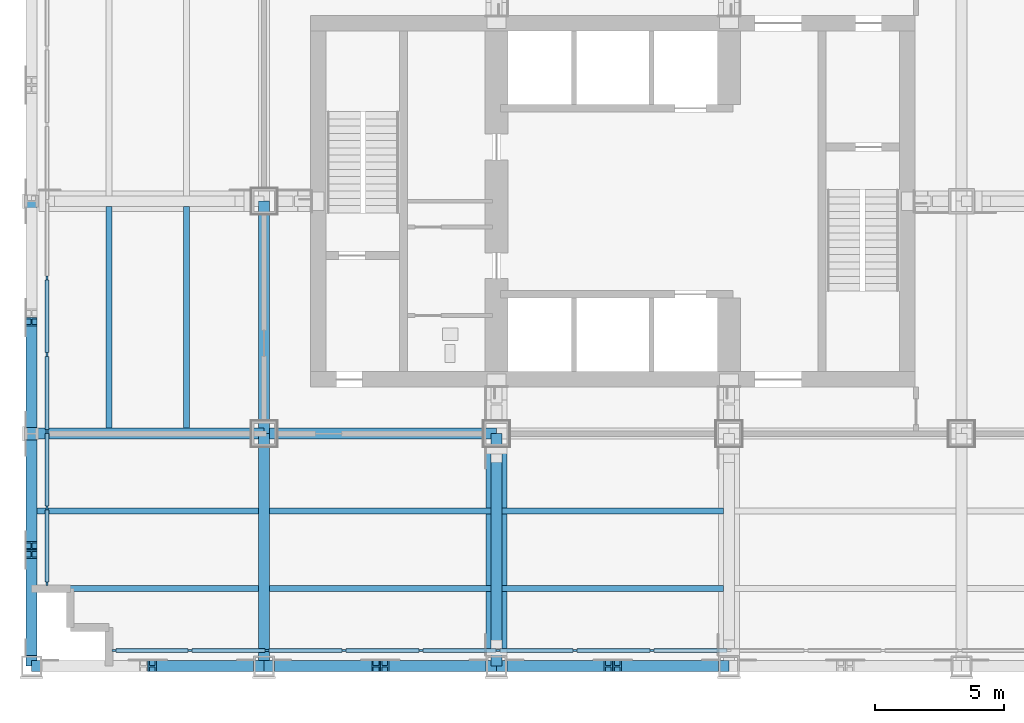
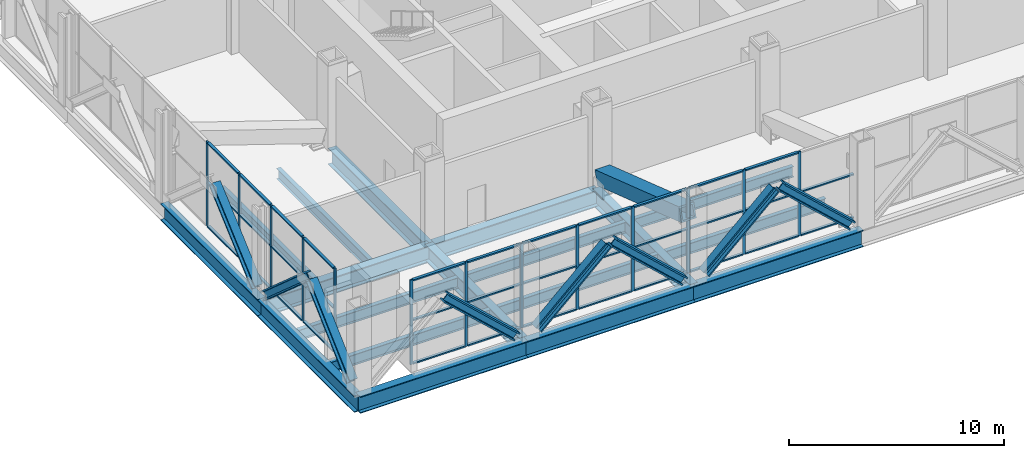
# One storey, part 2 of 19: 57 members, 18 beams, 2 elements without a shape of their own.
"""IFC4 building model written with IfcOpenShell, lengths in metres."""

from ifc_helpers import new_model, si_unit, direction, frame, origin, origin_2d, place, context, subcontext, project, spatial, rectangle, hollow_rectangle, i_section, extrude, material, material_profile, profile_set, type_object, element, aggregate, save


model = new_model("IFC4")

# Units and contexts
model_context = context("Model", 3, precision=1e-05, world=origin(), true_north=direction((0.0, 1.0)))
body_context = subcontext(model_context, "Body", "Model", "MODEL_VIEW")
ifc_project = project(units=[si_unit("LENGTHUNIT", "METRE"), si_unit("AREAUNIT", "SQUARE_METRE"), si_unit("VOLUMEUNIT", "CUBIC_METRE"), si_unit("PLANEANGLEUNIT", "RADIAN"), si_unit("MASSUNIT", "GRAM", prefix="KILO")], contexts=[model_context])

# Site, building, storey
site_placement = place(None, origin())
site = spatial("IfcSite", under=ifc_project, at=site_placement, CompositionType="ELEMENT")
building_placement = place(site_placement, origin())
building = spatial("IfcBuilding", under=site, at=building_placement, Name="Loomwork Tower", CompositionType="ELEMENT")
storey_placement = place(building_placement, frame((0.0, 0.0, 89.199951171875)))
storey = spatial("IfcBuildingStorey", under=building, at=storey_placement, Name="L23", CompositionType="ELEMENT", Elevation=89.199951171875)

# Beams
ifc_material_1 = material(Name="Steel ASTM A992", Category="steel")
ifc_material_profile_1 = material_profile(ifc_material_1, i_section(OverallWidth=0.424072265625, OverallDepth=0.947509765625, WebThickness=0.02392578125, FlangeThickness=0.042724609375, at=origin_2d()), Name="W36x302")
ifc_profile_set_1 = profile_set([ifc_material_profile_1], Name="Steel ASTM A992")
beam_type_1 = type_object("IfcBeamType", Name="BELT CHORD SPANDREL W36x302", PredefinedType="SPANDREL", material=ifc_profile_set_1)
for number, where, z_axis, x_axis, name in (
    (1, (0.0, 0.0, -0.7236328125), (1.0, 0.0, 0.0), (0.0, 1.0, 0.0), "Belt Chord Spandrel D/2-D/3 L23"),
    (2, (9.0, 0.0, -0.7236328125), (1.0, 0.0, 0.0), (0.0, 1.0, 0.0), "Belt Chord Spandrel D/3-D/4 L23"),
    (3, (18.0, 0.0, -0.7236328125), (1.0, 0.0, 0.0), (0.0, 1.0, 0.0), "Belt Chord Spandrel D/4-D/5 L23"),
    (4, (0.0, 0.0, -0.7236328125), (0.0, 1.0, 0.0), (-1.0, 0.0, 0.0), "Belt Chord Spandrel D/2-E/2 L23"),
    (5, (0.0, 9.0, -0.7236328125), (0.0, 1.0, 0.0), (-1.0, 0.0, 0.0), "Belt Chord Spandrel E/2-F/2 L23"),
):
    element("IfcBeam", number, at=place(storey_placement, frame(where, z_axis=z_axis, x_axis=x_axis)), inside=storey, type_object=beam_type_1, Name=name, PredefinedType="SPANDREL", context=body_context, shape_type="SweptSolid", body=[
        extrude(i_section(OverallWidth=0.424072265625, OverallDepth=0.947509765625, WebThickness=0.02392578125, FlangeThickness=0.042724609375, at=origin_2d()), origin(), (0.0, 0.0, 1.0), 9.0),
    ])

# Members
ifc_material_2 = material(Name="Steel ASTM A992", Category="steel")
ifc_material_profile_2 = material_profile(ifc_material_2, i_section(OverallWidth=0.424072265625, OverallDepth=0.47509765625, WebThickness=0.0478515625, FlangeThickness=0.0771484375, at=origin_2d()), Name="W14x426")
ifc_profile_set_2 = profile_set([ifc_material_profile_2], Name="Steel ASTM A992")
member_type_1 = type_object("IfcMemberType", Name="BELT TRUSS DIAGONAL W14x426", PredefinedType="BRACE", material=ifc_profile_set_2)
for number, where, z_axis, x_axis, name in (
    (6, (8.4287109375, 0.0, 0.184326171875), (-0.733437826244, 0.0, 0.679756541001), (0.0, -1.0, 0.0), "Belt truss diagonal D/2-D/3 L23"),
    (7, (9.5712890625, 0.0, 0.184326171875), (0.733437826244, 0.0, 0.679756541001), (0.0, 1.0, 0.0), "Belt truss diagonal D/3-D/4 L23"),
    (8, (17.4287109375, 0.0, 0.184326171875), (-0.733437826244, 0.0, 0.679756541001), (0.0, -1.0, 0.0), "Belt truss diagonal D/3-D/4 L23"),
    (9, (18.5712890625, 0.0, 0.184326171875), (0.733437826244, 0.0, 0.679756541001), (0.0, 1.0, 0.0), "Belt truss diagonal D/4-D/5 L23"),
    (10, (26.4287109375, 0.0, 0.184326171875), (-0.733437826244, 0.0, 0.679756541001), (0.0, -1.0, 0.0), "Belt truss diagonal D/4-D/5 L23"),
    (11, (0.0, 0.5712890625, 0.184326171875), (0.0, 0.733437826244, 0.679756541001), (-1.0, 0.0, 0.0), "Belt truss diagonal D/2-E/2 L23"),
):
    element("IfcMember", number, at=place(storey_placement, frame(where, z_axis=z_axis, x_axis=x_axis)), inside=storey, type_object=member_type_1, Name=name, PredefinedType="BRACE", context=body_context, shape_type="SweptSolid", body=[
        extrude(i_section(OverallWidth=0.424072265625, OverallDepth=0.47509765625, WebThickness=0.0478515625, FlangeThickness=0.0771484375, at=origin_2d()), origin(), (0.0, 0.0, 1.0), 5.12548828125),
    ])
for number, where, z_axis, x_axis, name in (
    (12, (0.0, 8.608154296875, 0.188232421875), (0.0, -0.750111573839, 0.661311293411), (1.0, 0.0, 0.0), "Belt truss diagonal D/2-E/2 L23"),
    (13, (0.0, 9.391845703125, 0.188232421875), (0.0, 0.750111573839, 0.661311293411), (-1.0, 0.0, 0.0), "Belt truss diagonal E/2-F/2 L23"),
):
    element("IfcMember", number, at=place(storey_placement, frame(where, z_axis=z_axis, x_axis=x_axis)), inside=storey, type_object=member_type_1, Name=name, PredefinedType="BRACE", context=body_context, shape_type="SweptSolid", body=[
        extrude(i_section(OverallWidth=0.424072265625, OverallDepth=0.47509765625, WebThickness=0.0478515625, FlangeThickness=0.0771484375, at=origin_2d()), origin(), (0.0, 0.0, 1.0), 5.256591796875),
    ])
ifc_material_3 = material(Name="Steel ASTM A572 Grade 50 plate", Category="steel")
ifc_material_profile_3 = material_profile(ifc_material_3, hollow_rectangle(XDim=0.800048828125, YDim=0.800048828125, WallThickness=0.090087890625, at=origin_2d()), Name="BOX800x90")
ifc_profile_set_3 = profile_set([ifc_material_profile_3], Name="Steel ASTM A572 Grade 50 plate")
member_type_2 = type_object("IfcMemberType", Name="OUTRIGGER DIAGONAL BOX800x90", PredefinedType="BRACE", material=ifc_profile_set_3)
member_1_placement = place(storey_placement, frame((18.0, 0.53955078125, 3.46142578125), z_axis=(0.0, 0.947848598928, -0.318720933593), x_axis=(-1.0, 0.0, 0.0)))
element("IfcMember", 14, at=member_1_placement, inside=storey, type_object=member_type_2, Name="Outrigger diagonal D/4 L23", PredefinedType="BRACE", context=body_context, shape_type="SweptSolid", body=[
    extrude(hollow_rectangle(XDim=0.800048828125, YDim=0.800048828125, WallThickness=0.090087890625, at=origin_2d()), origin(), (0.0, 0.0, 1.0), 8.25146484375),
])

# Beams
ifc_material_4 = material(Name="Steel ASTM A992", Category="steel")
ifc_material_profile_4 = material_profile(ifc_material_4, i_section(OverallWidth=0.4267578125, OverallDepth=0.939697265625, WebThickness=0.028564453125, FlangeThickness=0.050537109375, at=origin_2d()), Name="W36x361")
ifc_profile_set_4 = profile_set([ifc_material_profile_4], Name="Steel ASTM A992")
beam_type_2 = type_object("IfcBeamType", Name="OUTRIGGER FLOOR GIRDER W36x361", PredefinedType="BEAM", material=ifc_profile_set_4)
for number, where, z_axis, x_axis, name in (
    (15, (0.0, 9.0, -0.719970703125), (1.0, 0.0, 0.0), (0.0, 1.0, 0.0), "Outrigger Floor Girder E/2-E/3 L23"),
    (16, (9.0, 9.0, -0.719970703125), (1.0, 0.0, 0.0), (0.0, 1.0, 0.0), "Outrigger Floor Girder E/3-E/4 L23"),
    (17, (9.0, 0.0, -0.719970703125), (0.0, 1.0, 0.0), (-1.0, 0.0, 0.0), "Outrigger Floor Girder D/3-E/3 L23"),
    (18, (9.0, 9.0, -0.719970703125), (0.0, 1.0, 0.0), (-1.0, 0.0, 0.0), "Outrigger Floor Girder E/3-F/3 L23"),
):
    element("IfcBeam", number, at=place(storey_placement, frame(where, z_axis=z_axis, x_axis=x_axis)), inside=storey, type_object=beam_type_2, Name=name, PredefinedType="BEAM", context=body_context, shape_type="SweptSolid", body=[
        extrude(i_section(OverallWidth=0.4267578125, OverallDepth=0.939697265625, WebThickness=0.028564453125, FlangeThickness=0.050537109375, at=origin_2d()), origin(), (0.0, 0.0, 1.0), 9.0),
    ])
ifc_material_5 = material(Name="Steel ASTM A992", Category="steel")
ifc_material_profile_5 = material_profile(ifc_material_5, i_section(OverallWidth=0.424072265625, OverallDepth=0.947509765625, WebThickness=0.02392578125, FlangeThickness=0.042724609375, at=origin_2d()), Name="W36x302")
ifc_profile_set_5 = profile_set([ifc_material_profile_5], Name="Steel ASTM A992")
beam_type_3 = type_object("IfcBeamType", Name="OUTRIGGER GIRDER W36x302", PredefinedType="BEAM", material=ifc_profile_set_5)
beam_placement = place(storey_placement, frame((18.0, 0.0, -0.7236328125), z_axis=(0.0, 1.0, 0.0), x_axis=(-1.0, 0.0, 0.0)))
element("IfcBeam", 19, at=beam_placement, inside=storey, type_object=beam_type_3, Name="Outrigger Girder D/4-E/4 L23", PredefinedType="BEAM", context=body_context, shape_type="SweptSolid", body=[
    extrude(i_section(OverallWidth=0.424072265625, OverallDepth=0.947509765625, WebThickness=0.02392578125, FlangeThickness=0.042724609375, at=origin_2d()), origin(), (0.0, 0.0, 1.0), 9.0),
])
ifc_material_6 = material(Name="Steel ASTM A992", Category="steel")
ifc_material_profile_6 = material_profile(ifc_material_6, i_section(OverallWidth=0.228271484375, OverallDepth=0.607177734375, WebThickness=0.01123046875, FlangeThickness=0.017333984375, at=origin_2d()), Name="W24x76")
ifc_profile_set_6 = profile_set([ifc_material_profile_6], Name="Steel ASTM A992")
beam_type_4 = type_object("IfcBeamType", Name="PLANT FLOOR JOIST W24x76", PredefinedType="JOIST", material=ifc_profile_set_6)
for number, where, z_axis, x_axis, name in (
    (20, (0.2119140625, 3.0, -0.553466796875), (1.0, 0.0, 0.0), (0.0, 1.0, 0.0), "Plant Floor Joist 0.000,3.000-9.000,3.000 L23"),
    (21, (0.2119140625, 6.0, -0.553466796875), (1.0, 0.0, 0.0), (0.0, 1.0, 0.0), "Plant Floor Joist 0.000,6.000-9.000,6.000 L23"),
    (22, (3.0, 9.212890625, -0.553466796875), (0.0, 1.0, 0.0), (-1.0, 0.0, 0.0), "Plant Floor Joist 3.000,9.000-3.000,18.000 L23"),
    (23, (6.0, 9.212890625, -0.553466796875), (0.0, 1.0, 0.0), (-1.0, 0.0, 0.0), "Plant Floor Joist 6.000,9.000-6.000,18.000 L23"),
    (24, (9.212890625, 3.0, -0.553466796875), (1.0, 0.0, 0.0), (0.0, 1.0, 0.0), "Plant Floor Joist 9.000,3.000-18.000,3.000 L23"),
    (25, (9.212890625, 6.0, -0.553466796875), (1.0, 0.0, 0.0), (0.0, 1.0, 0.0), "Plant Floor Joist 9.000,6.000-18.000,6.000 L23"),
):
    element("IfcBeam", number, at=place(storey_placement, frame(where, z_axis=z_axis, x_axis=x_axis)), inside=storey, type_object=beam_type_4, Name=name, PredefinedType="JOIST", context=body_context, shape_type="SweptSolid", body=[
        extrude(i_section(OverallWidth=0.228271484375, OverallDepth=0.607177734375, WebThickness=0.01123046875, FlangeThickness=0.017333984375, at=origin_2d()), origin(), (0.0, 0.0, 1.0), 8.5751953125),
    ])
for number, where, z_axis, x_axis, name in (
    (26, (18.2119140625, 3.0, -0.553466796875), (1.0, 0.0, 0.0), (0.0, 1.0, 0.0), "Plant Floor Joist 18.000,3.000-27.000,3.000 L23"),
    (27, (18.2119140625, 6.0, -0.553466796875), (1.0, 0.0, 0.0), (0.0, 1.0, 0.0), "Plant Floor Joist 18.000,6.000-27.000,6.000 L23"),
):
    element("IfcBeam", number, at=place(storey_placement, frame(where, z_axis=z_axis, x_axis=x_axis)), inside=storey, type_object=beam_type_4, Name=name, PredefinedType="JOIST", context=body_context, shape_type="SweptSolid", body=[
        extrude(i_section(OverallWidth=0.228271484375, OverallDepth=0.607177734375, WebThickness=0.01123046875, FlangeThickness=0.017333984375, at=origin_2d()), origin(), (0.0, 0.0, 1.0), 8.576171875),
    ])

# Curtain wall, members
ifc_material_7 = material(Name="Aluminium louvre frame", Category="aluminium")
curtain_wall_type = type_object("IfcCurtainWallType", Name="Plant floor louvre screen", PredefinedType="NOTDEFINED", material=ifc_material_7)
curtain_wall_1_placement = place(storey_placement, origin())
curtain_wall_1 = element("IfcCurtainWall", 28, at=curtain_wall_1_placement, inside=storey, type_object=curtain_wall_type, Name="Plant floor louvre screen cw/S", PredefinedType="NOTDEFINED")
ifc_material_8 = material(Name="Aluminium louvre frame", Category="aluminium")
ifc_material_profile_7 = material_profile(ifc_material_8, rectangle(XDim=0.080078125, YDim=0.14990234375, at=origin_2d()), Name="AL 80x150")
ifc_profile_set_7 = profile_set([ifc_material_profile_7], Name="Aluminium louvre frame")
member_type_3 = type_object("IfcMemberType", Name="Plant floor louvre screen mullion", PredefinedType="MULLION", material=ifc_profile_set_7)
member_2_placement = place(storey_placement, frame((3.18994140625, 0.60009765625, 0.0), z_axis=(0.0, 0.0, 1.0), x_axis=(0.0, 1.0, 0.0)))
member_2 = element("IfcMember", 29, at=member_2_placement, type_object=member_type_3, Name="CW4 mullion 1", PredefinedType="MULLION", context=body_context, shape_type="SweptSolid", body=[
    extrude(rectangle(XDim=0.080078125, YDim=0.14990234375, at=origin_2d()), origin(), (0.0, 0.0, 1.0), 4.800048828125),
])
member_3_placement = place(storey_placement, frame((6.13134765625, 0.60009765625, 0.0), z_axis=(0.0, 0.0, 1.0), x_axis=(0.0, 1.0, 0.0)))
member_3 = element("IfcMember", 30, at=member_3_placement, type_object=member_type_3, Name="CW4 mullion 2", PredefinedType="MULLION", context=body_context, shape_type="SweptSolid", body=[
    extrude(rectangle(XDim=0.080078125, YDim=0.14990234375, at=origin_2d()), origin(), (0.0, 0.0, 1.0), 4.800048828125),
])
member_4_placement = place(storey_placement, frame((9.112548828125, 0.60009765625, 0.0), z_axis=(0.0, 0.0, 1.0), x_axis=(0.0, 1.0, 0.0)))
member_4 = element("IfcMember", 31, at=member_4_placement, type_object=member_type_3, Name="CW4 mullion 3", PredefinedType="MULLION", context=body_context, shape_type="SweptSolid", body=[
    extrude(rectangle(XDim=0.080078125, YDim=0.14990234375, at=origin_2d()), origin(), (0.0, 0.0, 1.0), 4.800048828125),
])
member_5_placement = place(storey_placement, frame((12.09375, 0.60009765625, 0.0), z_axis=(0.0, 0.0, 1.0), x_axis=(0.0, 1.0, 0.0)))
member_5 = element("IfcMember", 32, at=member_5_placement, type_object=member_type_3, Name="CW4 mullion 4", PredefinedType="MULLION", context=body_context, shape_type="SweptSolid", body=[
    extrude(rectangle(XDim=0.080078125, YDim=0.14990234375, at=origin_2d()), origin(), (0.0, 0.0, 1.0), 4.800048828125),
])
member_6_placement = place(storey_placement, frame((15.074951171875, 0.60009765625, 0.0), z_axis=(0.0, 0.0, 1.0), x_axis=(0.0, 1.0, 0.0)))
member_6 = element("IfcMember", 33, at=member_6_placement, type_object=member_type_3, Name="CW4 mullion 5", PredefinedType="MULLION", context=body_context, shape_type="SweptSolid", body=[
    extrude(rectangle(XDim=0.080078125, YDim=0.14990234375, at=origin_2d()), origin(), (0.0, 0.0, 1.0), 4.800048828125),
])
member_7_placement = place(storey_placement, frame((18.05615234375, 0.60009765625, 0.0), z_axis=(0.0, 0.0, 1.0), x_axis=(0.0, 1.0, 0.0)))
member_7 = element("IfcMember", 34, at=member_7_placement, type_object=member_type_3, Name="CW4 mullion 6", PredefinedType="MULLION", context=body_context, shape_type="SweptSolid", body=[
    extrude(rectangle(XDim=0.080078125, YDim=0.14990234375, at=origin_2d()), origin(), (0.0, 0.0, 1.0), 4.800048828125),
])
member_8_placement = place(storey_placement, frame((21.03759765625, 0.60009765625, 0.0), z_axis=(0.0, 0.0, 1.0), x_axis=(0.0, 1.0, 0.0)))
member_8 = element("IfcMember", 35, at=member_8_placement, type_object=member_type_3, Name="CW4 mullion 7", PredefinedType="MULLION", context=body_context, shape_type="SweptSolid", body=[
    extrude(rectangle(XDim=0.080078125, YDim=0.14990234375, at=origin_2d()), origin(), (0.0, 0.0, 1.0), 4.800048828125),
])
member_9_placement = place(storey_placement, frame((24.018798828125, 0.60009765625, 0.0), z_axis=(0.0, 0.0, 1.0), x_axis=(0.0, 1.0, 0.0)))
member_9 = element("IfcMember", 36, at=member_9_placement, type_object=member_type_3, Name="CW4 mullion 8", PredefinedType="MULLION", context=body_context, shape_type="SweptSolid", body=[
    extrude(rectangle(XDim=0.080078125, YDim=0.14990234375, at=origin_2d()), origin(), (0.0, 0.0, 1.0), 4.800048828125),
])

curtain_wall_2_placement = place(storey_placement, origin())
curtain_wall_2 = element("IfcCurtainWall", 37, at=curtain_wall_2_placement, inside=storey, type_object=curtain_wall_type, Name="Plant floor louvre screen cw/W", PredefinedType="NOTDEFINED")
member_10_placement = place(storey_placement, frame((0.60009765625, 15.030029296875, 0.0), z_axis=(0.0, 0.0, 1.0), x_axis=(1.0, 0.0, 0.0)))
member_10 = element("IfcMember", 38, at=member_10_placement, type_object=member_type_3, Name="CW4 mullion 7", PredefinedType="MULLION", context=body_context, shape_type="SweptSolid", body=[
    extrude(rectangle(XDim=0.080078125, YDim=0.14990234375, at=origin_2d()), origin(), (0.0, 0.0, 1.0), 4.800048828125),
])
member_11_placement = place(storey_placement, frame((0.60009765625, 12.06005859375, 0.0), z_axis=(0.0, 0.0, 1.0), x_axis=(1.0, 0.0, 0.0)))
member_11 = element("IfcMember", 39, at=member_11_placement, type_object=member_type_3, Name="CW4 mullion 8", PredefinedType="MULLION", context=body_context, shape_type="SweptSolid", body=[
    extrude(rectangle(XDim=0.080078125, YDim=0.14990234375, at=origin_2d()), origin(), (0.0, 0.0, 1.0), 4.800048828125),
])
member_12_placement = place(storey_placement, frame((0.60009765625, 9.090087890625, 0.0), z_axis=(0.0, 0.0, 1.0), x_axis=(1.0, 0.0, 0.0)))
member_12 = element("IfcMember", 40, at=member_12_placement, type_object=member_type_3, Name="CW4 mullion 9", PredefinedType="MULLION", context=body_context, shape_type="SweptSolid", body=[
    extrude(rectangle(XDim=0.080078125, YDim=0.14990234375, at=origin_2d()), origin(), (0.0, 0.0, 1.0), 4.800048828125),
])
member_13_placement = place(storey_placement, frame((0.60009765625, 6.1201171875, 0.0), z_axis=(0.0, 0.0, 1.0), x_axis=(1.0, 0.0, 0.0)))
member_13 = element("IfcMember", 41, at=member_13_placement, type_object=member_type_3, Name="CW4 mullion 10", PredefinedType="MULLION", context=body_context, shape_type="SweptSolid", body=[
    extrude(rectangle(XDim=0.080078125, YDim=0.14990234375, at=origin_2d()), origin(), (0.0, 0.0, 1.0), 4.800048828125),
])
member_14_placement = place(storey_placement, frame((0.60009765625, 3.18994140625, 0.0), z_axis=(0.0, 0.0, 1.0), x_axis=(1.0, 0.0, 0.0)))
member_14 = element("IfcMember", 42, at=member_14_placement, type_object=member_type_3, Name="CW4 mullion 11", PredefinedType="MULLION", context=body_context, shape_type="SweptSolid", body=[
    extrude(rectangle(XDim=0.080078125, YDim=0.14990234375, at=origin_2d()), origin(), (0.0, 0.0, 1.0), 4.800048828125),
])

# Member
ifc_material_9 = material(Name="Aluminium louvre frame", Category="aluminium")
ifc_material_profile_8 = material_profile(ifc_material_9, rectangle(XDim=0.14990234375, YDim=0.080078125, at=origin_2d()), Name="AL 80x150")
ifc_profile_set_8 = profile_set([ifc_material_profile_8], Name="Aluminium louvre frame")
member_type_4 = type_object("IfcMemberType", Name="Plant floor louvre screen transom", PredefinedType="USERDEFINED", material=ifc_profile_set_8)
member_15_placement = place(storey_placement, frame((3.264892578125, 0.60009765625, 0.0400390625), z_axis=(1.0, 0.0, 0.0), x_axis=(0.0, 1.0, 0.0)))
member_15 = element("IfcMember", 43, at=member_15_placement, type_object=member_type_4, Name="CW4 transom 1.1", ObjectType="TRANSOM", PredefinedType="USERDEFINED", context=body_context, shape_type="SweptSolid", body=[
    extrude(rectangle(XDim=0.14990234375, YDim=0.080078125, at=origin_2d()), origin(), (0.0, 0.0, 1.0), 2.791259765625),
])

member_16_placement = place(storey_placement, frame((3.264892578125, 0.60009765625, 2.5), z_axis=(1.0, 0.0, 0.0), x_axis=(0.0, 1.0, 0.0)))
member_16 = element("IfcMember", 44, at=member_16_placement, type_object=member_type_4, Name="CW4 transom 1.2", ObjectType="TRANSOM", PredefinedType="USERDEFINED", context=body_context, shape_type="SweptSolid", body=[
    extrude(rectangle(XDim=0.14990234375, YDim=0.080078125, at=origin_2d()), origin(), (0.0, 0.0, 1.0), 2.791259765625),
])

member_17_placement = place(storey_placement, frame((3.264892578125, 0.60009765625, 4.760009765625), z_axis=(1.0, 0.0, 0.0), x_axis=(0.0, 1.0, 0.0)))
member_17 = element("IfcMember", 45, at=member_17_placement, type_object=member_type_4, Name="CW4 transom 1.3", ObjectType="TRANSOM", PredefinedType="USERDEFINED", context=body_context, shape_type="SweptSolid", body=[
    extrude(rectangle(XDim=0.14990234375, YDim=0.080078125, at=origin_2d()), origin(), (0.0, 0.0, 1.0), 2.791259765625),
])

member_18_placement = place(storey_placement, frame((6.206298828125, 0.60009765625, 0.0400390625), z_axis=(1.0, 0.0, 0.0), x_axis=(0.0, 1.0, 0.0)))
member_18 = element("IfcMember", 46, at=member_18_placement, type_object=member_type_4, Name="CW4 transom 2.1", ObjectType="TRANSOM", PredefinedType="USERDEFINED", context=body_context, shape_type="SweptSolid", body=[
    extrude(rectangle(XDim=0.14990234375, YDim=0.080078125, at=origin_2d()), origin(), (0.0, 0.0, 1.0), 2.831298828125),
])

member_19_placement = place(storey_placement, frame((6.206298828125, 0.60009765625, 2.5), z_axis=(1.0, 0.0, 0.0), x_axis=(0.0, 1.0, 0.0)))
member_19 = element("IfcMember", 47, at=member_19_placement, type_object=member_type_4, Name="CW4 transom 2.2", ObjectType="TRANSOM", PredefinedType="USERDEFINED", context=body_context, shape_type="SweptSolid", body=[
    extrude(rectangle(XDim=0.14990234375, YDim=0.080078125, at=origin_2d()), origin(), (0.0, 0.0, 1.0), 2.831298828125),
])

member_20_placement = place(storey_placement, frame((6.206298828125, 0.60009765625, 4.760009765625), z_axis=(1.0, 0.0, 0.0), x_axis=(0.0, 1.0, 0.0)))
member_20 = element("IfcMember", 48, at=member_20_placement, type_object=member_type_4, Name="CW4 transom 2.3", ObjectType="TRANSOM", PredefinedType="USERDEFINED", context=body_context, shape_type="SweptSolid", body=[
    extrude(rectangle(XDim=0.14990234375, YDim=0.080078125, at=origin_2d()), origin(), (0.0, 0.0, 1.0), 2.831298828125),
])

member_21_placement = place(storey_placement, frame((9.1875, 0.60009765625, 0.0400390625), z_axis=(1.0, 0.0, 0.0), x_axis=(0.0, 1.0, 0.0)))
member_21 = element("IfcMember", 49, at=member_21_placement, type_object=member_type_4, Name="CW4 transom 3.1", ObjectType="TRANSOM", PredefinedType="USERDEFINED", context=body_context, shape_type="SweptSolid", body=[
    extrude(rectangle(XDim=0.14990234375, YDim=0.080078125, at=origin_2d()), origin(), (0.0, 0.0, 1.0), 2.831298828125),
])

member_22_placement = place(storey_placement, frame((9.1875, 0.60009765625, 2.5), z_axis=(1.0, 0.0, 0.0), x_axis=(0.0, 1.0, 0.0)))
member_22 = element("IfcMember", 50, at=member_22_placement, type_object=member_type_4, Name="CW4 transom 3.2", ObjectType="TRANSOM", PredefinedType="USERDEFINED", context=body_context, shape_type="SweptSolid", body=[
    extrude(rectangle(XDim=0.14990234375, YDim=0.080078125, at=origin_2d()), origin(), (0.0, 0.0, 1.0), 2.831298828125),
])

member_23_placement = place(storey_placement, frame((9.1875, 0.60009765625, 4.760009765625), z_axis=(1.0, 0.0, 0.0), x_axis=(0.0, 1.0, 0.0)))
member_23 = element("IfcMember", 51, at=member_23_placement, type_object=member_type_4, Name="CW4 transom 3.3", ObjectType="TRANSOM", PredefinedType="USERDEFINED", context=body_context, shape_type="SweptSolid", body=[
    extrude(rectangle(XDim=0.14990234375, YDim=0.080078125, at=origin_2d()), origin(), (0.0, 0.0, 1.0), 2.831298828125),
])

member_24_placement = place(storey_placement, frame((12.168701171875, 0.60009765625, 0.0400390625), z_axis=(1.0, 0.0, 0.0), x_axis=(0.0, 1.0, 0.0)))
member_24 = element("IfcMember", 52, at=member_24_placement, type_object=member_type_4, Name="CW4 transom 4.1", ObjectType="TRANSOM", PredefinedType="USERDEFINED", context=body_context, shape_type="SweptSolid", body=[
    extrude(rectangle(XDim=0.14990234375, YDim=0.080078125, at=origin_2d()), origin(), (0.0, 0.0, 1.0), 2.831298828125),
])

member_25_placement = place(storey_placement, frame((12.168701171875, 0.60009765625, 2.5), z_axis=(1.0, 0.0, 0.0), x_axis=(0.0, 1.0, 0.0)))
member_25 = element("IfcMember", 53, at=member_25_placement, type_object=member_type_4, Name="CW4 transom 4.2", ObjectType="TRANSOM", PredefinedType="USERDEFINED", context=body_context, shape_type="SweptSolid", body=[
    extrude(rectangle(XDim=0.14990234375, YDim=0.080078125, at=origin_2d()), origin(), (0.0, 0.0, 1.0), 2.831298828125),
])

member_26_placement = place(storey_placement, frame((12.168701171875, 0.60009765625, 4.760009765625), z_axis=(1.0, 0.0, 0.0), x_axis=(0.0, 1.0, 0.0)))
member_26 = element("IfcMember", 54, at=member_26_placement, type_object=member_type_4, Name="CW4 transom 4.3", ObjectType="TRANSOM", PredefinedType="USERDEFINED", context=body_context, shape_type="SweptSolid", body=[
    extrude(rectangle(XDim=0.14990234375, YDim=0.080078125, at=origin_2d()), origin(), (0.0, 0.0, 1.0), 2.831298828125),
])

member_27_placement = place(storey_placement, frame((15.14990234375, 0.60009765625, 0.0400390625), z_axis=(1.0, 0.0, 0.0), x_axis=(0.0, 1.0, 0.0)))
member_27 = element("IfcMember", 55, at=member_27_placement, type_object=member_type_4, Name="CW4 transom 5.1", ObjectType="TRANSOM", PredefinedType="USERDEFINED", context=body_context, shape_type="SweptSolid", body=[
    extrude(rectangle(XDim=0.14990234375, YDim=0.080078125, at=origin_2d()), origin(), (0.0, 0.0, 1.0), 2.831298828125),
])

member_28_placement = place(storey_placement, frame((15.14990234375, 0.60009765625, 2.5), z_axis=(1.0, 0.0, 0.0), x_axis=(0.0, 1.0, 0.0)))
member_28 = element("IfcMember", 56, at=member_28_placement, type_object=member_type_4, Name="CW4 transom 5.2", ObjectType="TRANSOM", PredefinedType="USERDEFINED", context=body_context, shape_type="SweptSolid", body=[
    extrude(rectangle(XDim=0.14990234375, YDim=0.080078125, at=origin_2d()), origin(), (0.0, 0.0, 1.0), 2.831298828125),
])

member_29_placement = place(storey_placement, frame((15.14990234375, 0.60009765625, 4.760009765625), z_axis=(1.0, 0.0, 0.0), x_axis=(0.0, 1.0, 0.0)))
member_29 = element("IfcMember", 57, at=member_29_placement, type_object=member_type_4, Name="CW4 transom 5.3", ObjectType="TRANSOM", PredefinedType="USERDEFINED", context=body_context, shape_type="SweptSolid", body=[
    extrude(rectangle(XDim=0.14990234375, YDim=0.080078125, at=origin_2d()), origin(), (0.0, 0.0, 1.0), 2.831298828125),
])

member_30_placement = place(storey_placement, frame((18.13134765625, 0.60009765625, 0.0400390625), z_axis=(1.0, 0.0, 0.0), x_axis=(0.0, 1.0, 0.0)))
member_30 = element("IfcMember", 58, at=member_30_placement, type_object=member_type_4, Name="CW4 transom 6.1", ObjectType="TRANSOM", PredefinedType="USERDEFINED", context=body_context, shape_type="SweptSolid", body=[
    extrude(rectangle(XDim=0.14990234375, YDim=0.080078125, at=origin_2d()), origin(), (0.0, 0.0, 1.0), 2.8310546875),
])

member_31_placement = place(storey_placement, frame((18.13134765625, 0.60009765625, 2.5), z_axis=(1.0, 0.0, 0.0), x_axis=(0.0, 1.0, 0.0)))
member_31 = element("IfcMember", 59, at=member_31_placement, type_object=member_type_4, Name="CW4 transom 6.2", ObjectType="TRANSOM", PredefinedType="USERDEFINED", context=body_context, shape_type="SweptSolid", body=[
    extrude(rectangle(XDim=0.14990234375, YDim=0.080078125, at=origin_2d()), origin(), (0.0, 0.0, 1.0), 2.8310546875),
])

member_32_placement = place(storey_placement, frame((18.13134765625, 0.60009765625, 4.760009765625), z_axis=(1.0, 0.0, 0.0), x_axis=(0.0, 1.0, 0.0)))
member_32 = element("IfcMember", 60, at=member_32_placement, type_object=member_type_4, Name="CW4 transom 6.3", ObjectType="TRANSOM", PredefinedType="USERDEFINED", context=body_context, shape_type="SweptSolid", body=[
    extrude(rectangle(XDim=0.14990234375, YDim=0.080078125, at=origin_2d()), origin(), (0.0, 0.0, 1.0), 2.8310546875),
])

member_33_placement = place(storey_placement, frame((21.112548828125, 0.60009765625, 0.0400390625), z_axis=(1.0, 0.0, 0.0), x_axis=(0.0, 1.0, 0.0)))
member_33 = element("IfcMember", 61, at=member_33_placement, type_object=member_type_4, Name="CW4 transom 7.1", ObjectType="TRANSOM", PredefinedType="USERDEFINED", context=body_context, shape_type="SweptSolid", body=[
    extrude(rectangle(XDim=0.14990234375, YDim=0.080078125, at=origin_2d()), origin(), (0.0, 0.0, 1.0), 2.831298828125),
])

member_34_placement = place(storey_placement, frame((21.112548828125, 0.60009765625, 2.5), z_axis=(1.0, 0.0, 0.0), x_axis=(0.0, 1.0, 0.0)))
member_34 = element("IfcMember", 62, at=member_34_placement, type_object=member_type_4, Name="CW4 transom 7.2", ObjectType="TRANSOM", PredefinedType="USERDEFINED", context=body_context, shape_type="SweptSolid", body=[
    extrude(rectangle(XDim=0.14990234375, YDim=0.080078125, at=origin_2d()), origin(), (0.0, 0.0, 1.0), 2.831298828125),
])

member_35_placement = place(storey_placement, frame((21.112548828125, 0.60009765625, 4.760009765625), z_axis=(1.0, 0.0, 0.0), x_axis=(0.0, 1.0, 0.0)))
member_35 = element("IfcMember", 63, at=member_35_placement, type_object=member_type_4, Name="CW4 transom 7.3", ObjectType="TRANSOM", PredefinedType="USERDEFINED", context=body_context, shape_type="SweptSolid", body=[
    extrude(rectangle(XDim=0.14990234375, YDim=0.080078125, at=origin_2d()), origin(), (0.0, 0.0, 1.0), 2.831298828125),
])

member_36_placement = place(storey_placement, frame((24.09375, 0.60009765625, 0.0400390625), z_axis=(1.0, 0.0, 0.0), x_axis=(0.0, 1.0, 0.0)))
member_36 = element("IfcMember", 64, at=member_36_placement, type_object=member_type_4, Name="CW4 transom 8.1", ObjectType="TRANSOM", PredefinedType="USERDEFINED", context=body_context, shape_type="SweptSolid", body=[
    extrude(rectangle(XDim=0.14990234375, YDim=0.080078125, at=origin_2d()), origin(), (0.0, 0.0, 1.0), 2.831298828125),
])

member_37_placement = place(storey_placement, frame((24.09375, 0.60009765625, 2.5), z_axis=(1.0, 0.0, 0.0), x_axis=(0.0, 1.0, 0.0)))
member_37 = element("IfcMember", 65, at=member_37_placement, type_object=member_type_4, Name="CW4 transom 8.2", ObjectType="TRANSOM", PredefinedType="USERDEFINED", context=body_context, shape_type="SweptSolid", body=[
    extrude(rectangle(XDim=0.14990234375, YDim=0.080078125, at=origin_2d()), origin(), (0.0, 0.0, 1.0), 2.831298828125),
])

aggregate(curtain_wall_1, [member_2, member_3, member_4, member_5, member_6, member_7, member_8, member_9, member_15, member_16, member_17, member_18, member_19, member_20, member_21, member_22, member_23, member_24, member_25, member_26, member_27, member_28, member_29, member_30, member_31, member_32, member_33, member_34, member_35, member_36, member_37])

member_38_placement = place(storey_placement, frame((0.60009765625, 14.955078125, 0.0400390625), z_axis=(0.0, -1.0, 0.0), x_axis=(1.0, 0.0, 0.0)))
member_38 = element("IfcMember", 66, at=member_38_placement, type_object=member_type_4, Name="CW4 transom 7.1", ObjectType="TRANSOM", PredefinedType="USERDEFINED", context=body_context, shape_type="SweptSolid", body=[
    extrude(rectangle(XDim=0.14990234375, YDim=0.080078125, at=origin_2d()), origin(), (0.0, 0.0, 1.0), 2.820068359375),
])

member_39_placement = place(storey_placement, frame((0.60009765625, 14.955078125, 2.5), z_axis=(0.0, -1.0, 0.0), x_axis=(1.0, 0.0, 0.0)))
member_39 = element("IfcMember", 67, at=member_39_placement, type_object=member_type_4, Name="CW4 transom 7.2", ObjectType="TRANSOM", PredefinedType="USERDEFINED", context=body_context, shape_type="SweptSolid", body=[
    extrude(rectangle(XDim=0.14990234375, YDim=0.080078125, at=origin_2d()), origin(), (0.0, 0.0, 1.0), 2.820068359375),
])

member_40_placement = place(storey_placement, frame((0.60009765625, 14.955078125, 4.760009765625), z_axis=(0.0, -1.0, 0.0), x_axis=(1.0, 0.0, 0.0)))
member_40 = element("IfcMember", 68, at=member_40_placement, type_object=member_type_4, Name="CW4 transom 7.3", ObjectType="TRANSOM", PredefinedType="USERDEFINED", context=body_context, shape_type="SweptSolid", body=[
    extrude(rectangle(XDim=0.14990234375, YDim=0.080078125, at=origin_2d()), origin(), (0.0, 0.0, 1.0), 2.820068359375),
])

member_41_placement = place(storey_placement, frame((0.60009765625, 11.985107421875, 0.0400390625), z_axis=(0.0, -1.0, 0.0), x_axis=(1.0, 0.0, 0.0)))
member_41 = element("IfcMember", 69, at=member_41_placement, type_object=member_type_4, Name="CW4 transom 8.1", ObjectType="TRANSOM", PredefinedType="USERDEFINED", context=body_context, shape_type="SweptSolid", body=[
    extrude(rectangle(XDim=0.14990234375, YDim=0.080078125, at=origin_2d()), origin(), (0.0, 0.0, 1.0), 2.820068359375),
])

member_42_placement = place(storey_placement, frame((0.60009765625, 11.985107421875, 2.5), z_axis=(0.0, -1.0, 0.0), x_axis=(1.0, 0.0, 0.0)))
member_42 = element("IfcMember", 70, at=member_42_placement, type_object=member_type_4, Name="CW4 transom 8.2", ObjectType="TRANSOM", PredefinedType="USERDEFINED", context=body_context, shape_type="SweptSolid", body=[
    extrude(rectangle(XDim=0.14990234375, YDim=0.080078125, at=origin_2d()), origin(), (0.0, 0.0, 1.0), 2.820068359375),
])

member_43_placement = place(storey_placement, frame((0.60009765625, 11.985107421875, 4.760009765625), z_axis=(0.0, -1.0, 0.0), x_axis=(1.0, 0.0, 0.0)))
member_43 = element("IfcMember", 71, at=member_43_placement, type_object=member_type_4, Name="CW4 transom 8.3", ObjectType="TRANSOM", PredefinedType="USERDEFINED", context=body_context, shape_type="SweptSolid", body=[
    extrude(rectangle(XDim=0.14990234375, YDim=0.080078125, at=origin_2d()), origin(), (0.0, 0.0, 1.0), 2.820068359375),
])

member_44_placement = place(storey_placement, frame((0.60009765625, 9.014892578125, 0.0400390625), z_axis=(0.0, -1.0, 0.0), x_axis=(1.0, 0.0, 0.0)))
member_44 = element("IfcMember", 72, at=member_44_placement, type_object=member_type_4, Name="CW4 transom 9.1", ObjectType="TRANSOM", PredefinedType="USERDEFINED", context=body_context, shape_type="SweptSolid", body=[
    extrude(rectangle(XDim=0.14990234375, YDim=0.080078125, at=origin_2d()), origin(), (0.0, 0.0, 1.0), 2.81982421875),
])

member_45_placement = place(storey_placement, frame((0.60009765625, 9.014892578125, 2.5), z_axis=(0.0, -1.0, 0.0), x_axis=(1.0, 0.0, 0.0)))
member_45 = element("IfcMember", 73, at=member_45_placement, type_object=member_type_4, Name="CW4 transom 9.2", ObjectType="TRANSOM", PredefinedType="USERDEFINED", context=body_context, shape_type="SweptSolid", body=[
    extrude(rectangle(XDim=0.14990234375, YDim=0.080078125, at=origin_2d()), origin(), (0.0, 0.0, 1.0), 2.81982421875),
])

member_46_placement = place(storey_placement, frame((0.60009765625, 9.014892578125, 4.760009765625), z_axis=(0.0, -1.0, 0.0), x_axis=(1.0, 0.0, 0.0)))
member_46 = element("IfcMember", 74, at=member_46_placement, type_object=member_type_4, Name="CW4 transom 9.3", ObjectType="TRANSOM", PredefinedType="USERDEFINED", context=body_context, shape_type="SweptSolid", body=[
    extrude(rectangle(XDim=0.14990234375, YDim=0.080078125, at=origin_2d()), origin(), (0.0, 0.0, 1.0), 2.81982421875),
])

member_47_placement = place(storey_placement, frame((0.60009765625, 6.044921875, 0.0400390625), z_axis=(0.0, -1.0, 0.0), x_axis=(1.0, 0.0, 0.0)))
member_47 = element("IfcMember", 75, at=member_47_placement, type_object=member_type_4, Name="CW4 transom 10.1", ObjectType="TRANSOM", PredefinedType="USERDEFINED", context=body_context, shape_type="SweptSolid", body=[
    extrude(rectangle(XDim=0.14990234375, YDim=0.080078125, at=origin_2d()), origin(), (0.0, 0.0, 1.0), 2.780029296875),
])

member_48_placement = place(storey_placement, frame((0.60009765625, 6.044921875, 2.5), z_axis=(0.0, -1.0, 0.0), x_axis=(1.0, 0.0, 0.0)))
member_48 = element("IfcMember", 76, at=member_48_placement, type_object=member_type_4, Name="CW4 transom 10.2", ObjectType="TRANSOM", PredefinedType="USERDEFINED", context=body_context, shape_type="SweptSolid", body=[
    extrude(rectangle(XDim=0.14990234375, YDim=0.080078125, at=origin_2d()), origin(), (0.0, 0.0, 1.0), 2.780029296875),
])

member_49_placement = place(storey_placement, frame((0.60009765625, 6.044921875, 4.760009765625), z_axis=(0.0, -1.0, 0.0), x_axis=(1.0, 0.0, 0.0)))
member_49 = element("IfcMember", 77, at=member_49_placement, type_object=member_type_4, Name="CW4 transom 10.3", ObjectType="TRANSOM", PredefinedType="USERDEFINED", context=body_context, shape_type="SweptSolid", body=[
    extrude(rectangle(XDim=0.14990234375, YDim=0.080078125, at=origin_2d()), origin(), (0.0, 0.0, 1.0), 2.780029296875),
])

aggregate(curtain_wall_2, [member_10, member_11, member_12, member_13, member_14, member_38, member_39, member_40, member_41, member_42, member_43, member_44, member_45, member_46, member_47, member_48, member_49])

save(model, "model.ifc")
